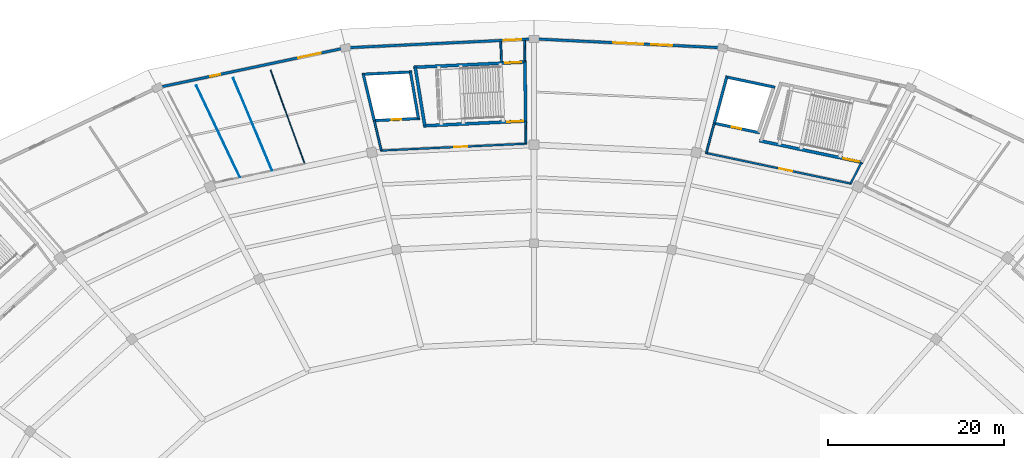
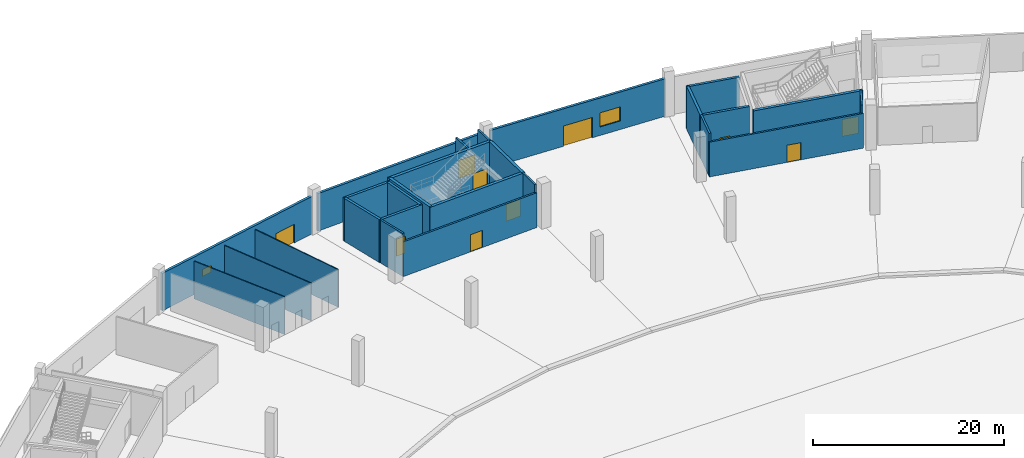
# One storey, part 17 of 48: 26 walls, 10 doors, 2 windows, 12 openings.
"""IFC4 building model written with IfcOpenShell, lengths in metres."""

import ifcopenshell
import ifcopenshell.guid

model = None  # the IFC model being written
_history = None  # IfcOwnerHistory: only IFC2X3 demands one
_inside = {}  # id of a spatial element -> (the spatial element, [elements in it])
_under = {}  # id of a project, library or spatial element -> (it, [spatial elements below it])
_declared = {}  # id of a project -> (the project, [libraries it declares])
_typed = {}  # id of a type object -> (the type object, [elements of that type])
_made_of = {}  # id of a material, layer set ... -> (it, [elements and type objects made of it])


def new_model(schema):
    """Start an empty IFC model of exactly this schema.

    Asked for "IFC4X3", IfcOpenShell would pick the latest addendum, in which some entities
    have other attributes; the version numbers below select the first issue.
    IFC2X3 requires an IfcOwnerHistory on every rooted entity: one is made here for all.
    """
    global model, _history
    if schema == "IFC4X3":
        model = ifcopenshell.file(schema_version=(4, 3, 0, 0))
    else:
        model = ifcopenshell.file(schema=schema)
    _inside.clear()
    _under.clear()
    _declared.clear()
    _typed.clear()
    _made_of.clear()
    _history = None
    if model.schema == "IFC2X3":
        org = make("IfcOrganization", Name="unknown")
        user = make(
            "IfcPersonAndOrganization",
            ThePerson=make("IfcPerson", FamilyName="unknown"),
            TheOrganization=org,
        )
        app = make(
            "IfcApplication",
            ApplicationDeveloper=org,
            Version="unknown",
            ApplicationFullName="unknown",
            ApplicationIdentifier="unknown",
        )
        _history = make(
            "IfcOwnerHistory",
            OwningUser=user,
            OwningApplication=app,
            ChangeAction="ADDED",
            CreationDate=0,
        )
    return model


def make(cls, **values):
    """One entity of the class cls with the attributes given. An attribute that is None is left unset."""
    return model.create_entity(
        cls, **{name: value for name, value in values.items() if value is not None}
    )


def rooted(cls, **values):
    """An entity with a GlobalId (a new one), such as an element, a storey or a relation."""
    return make(cls, GlobalId=ifcopenshell.guid.new(), OwnerHistory=_history, **values)


def si_unit(unit_type, name, prefix=None):
    """IfcSIUnit, for example si_unit("LENGTHUNIT", "METRE", prefix="MILLI")."""
    return make("IfcSIUnit", UnitType=unit_type, Prefix=prefix, Name=name)


def assignment(units):
    """IfcUnitAssignment: the units of a project."""
    return None if units is None else make("IfcUnitAssignment", Units=units)


def point(xyz):
    """IfcCartesianPoint."""
    return None if xyz is None else make("IfcCartesianPoint", Coordinates=xyz)


def direction(xyz):
    """IfcDirection."""
    return None if xyz is None else make("IfcDirection", DirectionRatios=xyz)


def frame(location, z_axis=None, x_axis=None):
    """IfcAxis2Placement3D, a coordinate frame: its origin and axes. An axis left out is left unset."""
    return make(
        "IfcAxis2Placement3D",
        Location=point(location),
        Axis=direction(z_axis),
        RefDirection=direction(x_axis),
    )


def frame_2d(location, x_axis=None):
    """IfcAxis2Placement2D, a coordinate frame in the plane: its origin and x axis."""
    return make(
        "IfcAxis2Placement2D", Location=point(location), RefDirection=direction(x_axis)
    )


def origin():
    """The frame at (0, 0, 0) with its axes left unset."""
    return frame((0.0, 0.0, 0.0))


def place(relative_to, where):
    """IfcLocalPlacement: puts the frame where relative to a parent placement (None: the world)."""
    return make(
        "IfcLocalPlacement", PlacementRelTo=relative_to, RelativePlacement=where
    )


def context(
    kind, dimensions, precision=None, world=None, true_north=None, identifier=None
):
    """IfcGeometricRepresentationContext, for example the 3D "Model" context."""
    return make(
        "IfcGeometricRepresentationContext",
        ContextIdentifier=identifier,
        ContextType=kind,
        CoordinateSpaceDimension=dimensions,
        Precision=precision,
        WorldCoordinateSystem=world,
        TrueNorth=true_north,
    )


def subcontext(parent, identifier, kind, view, scale=None):
    """IfcGeometricRepresentationSubContext, for example "Body" below "Model"."""
    return make(
        "IfcGeometricRepresentationSubContext",
        ContextIdentifier=identifier,
        ContextType=kind,
        ParentContext=parent,
        TargetScale=scale,
        TargetView=view,
    )


def project(units=None, contexts=None):
    """IfcProject with its units and contexts."""
    return rooted(
        "IfcProject",
        Name="project",
        RepresentationContexts=contexts,
        UnitsInContext=assignment(units),
    )


def spatial(cls, under=None, at=None, **own):
    """A site, building, storey or space (cls), placed at a placement, below another one or the project."""
    s = rooted(cls, ObjectPlacement=at, **own)
    if under is not None:
        _under.setdefault(under.id(), (under, []))[1].append(s)
    return s


def profile(cls, at=None, kind="AREA", **sizes):
    """A parametric profile (cls). Its sizes go by their IFC names, for example OverallWidth=200.0."""
    return make(cls, ProfileType=kind, Position=at, **sizes)


def rectangle(**sizes):
    """IfcRectangleProfileDef."""
    return profile("IfcRectangleProfileDef", **sizes)


def extrude(swept, where, along, depth):
    """IfcExtrudedAreaSolid: the profile swept, set in the frame where, extruded along a direction by depth."""
    return make(
        "IfcExtrudedAreaSolid",
        SweptArea=swept,
        Position=where,
        ExtrudedDirection=direction(along),
        Depth=depth,
    )


def shape(context_of_items, identifier, shape_type, items):
    """IfcShapeRepresentation: the items that make up one representation, for example the "Body"."""
    return make(
        "IfcShapeRepresentation",
        ContextOfItems=context_of_items,
        RepresentationIdentifier=identifier,
        RepresentationType=shape_type,
        Items=items,
    )


def material(Name=None, Category=None):
    """IfcMaterial."""
    return make("IfcMaterial", Name=Name, Category=Category)


def layer(
    of_material, thickness, ventilated=None, Name=None, Category=None, Priority=None
):
    """IfcMaterialLayer: one layer of a wall or slab, of a material (None: an air gap)."""
    return make(
        "IfcMaterialLayer",
        Material=of_material,
        LayerThickness=thickness,
        IsVentilated=ventilated,
        Name=Name,
        Category=Category,
        Priority=Priority,
    )


def layer_set(layers, Name=None):
    """IfcMaterialLayerSet."""
    return make("IfcMaterialLayerSet", MaterialLayers=layers, LayerSetName=Name)


def made_of(thing, what):
    """Note that an element or type object is made of a material, layer set ...; save() writes the relation."""
    if what is not None:
        _made_of.setdefault(what.id(), (what, []))[1].append(thing)
    return thing


def type_object(cls, material=None, **own):
    """A type object (cls), such as IfcWallType, which elements share."""
    return made_of(rooted(cls, **own), material)


def element(
    cls,
    number,
    at=None,
    inside=None,
    cuts=None,
    type_object=None,
    material=None,
    context=None,
    identifier="Body",
    shape_type=None,
    held_by="IfcProductDefinitionShape",
    body=None,
    shapes=None,
    **own,
):
    """One element of the class cls, such as IfcWall. Its Tag is "e" and its number.

    at: its placement. inside: the storey or other place that contains it. cuts: it is an
    opening in that element (IfcRelVoidsElement). A single representation is given by context,
    identifier, shape_type and body (its items); several are given by shapes. held_by: the class
    of the entity that holds the representations. save() writes the other relations.
    """
    e = rooted(cls, Tag="e%d" % number, ObjectPlacement=at, **own)
    if body is not None:
        shapes = [shape(context, identifier, shape_type, body)]
    if shapes is not None:
        e.Representation = make(held_by, Representations=shapes)
    if inside is not None:
        _inside.setdefault(inside.id(), (inside, []))[1].append(e)
    if cuts is not None:
        rooted(
            "IfcRelVoidsElement", RelatingBuildingElement=cuts, RelatedOpeningElement=e
        )
    if type_object is not None:
        _typed.setdefault(type_object.id(), (type_object, []))[1].append(e)
    return made_of(e, material)


def fill(opening, filler):
    """IfcRelFillsElement: the door or window that sits in an opening."""
    return rooted(
        "IfcRelFillsElement",
        RelatingOpeningElement=opening,
        RelatedBuildingElement=filler,
    )


def aggregate(whole, parts):
    """IfcRelAggregates: a whole, such as a stair, and the parts it consists of."""
    return rooted("IfcRelAggregates", RelatingObject=whole, RelatedObjects=parts)


def save(model, path):
    """Write the relations noted so far, then the file.

    IfcRelAggregates (storeys below a building ...), IfcRelContainedInSpatialStructure (elements
    in a storey), IfcRelDefinesByType, IfcRelAssociatesMaterial and IfcRelDeclares: one each for
    every whole, place, type object, material and project.
    """
    for whole, parts in _under.values():
        aggregate(whole, parts)
    for where, things in _inside.values():
        rooted(
            "IfcRelContainedInSpatialStructure",
            RelatedElements=things,
            RelatingStructure=where,
        )
    for kind, things in _typed.values():
        rooted("IfcRelDefinesByType", RelatedObjects=things, RelatingType=kind)
    for what, things in _made_of.values():
        rooted("IfcRelAssociatesMaterial", RelatedObjects=things, RelatingMaterial=what)
    for by, libraries in _declared.values():
        rooted("IfcRelDeclares", RelatingContext=by, RelatedDefinitions=libraries)
    model.write(path)


model = new_model("IFC4")

# Units and contexts
model_context = context("Model", 3, precision=1e-05, world=origin(), true_north=direction((0.0, 1.0)))
body_context = subcontext(model_context, "Body", "Model", "MODEL_VIEW")
ifc_project = project(units=[si_unit("LENGTHUNIT", "METRE"), si_unit("AREAUNIT", "SQUARE_METRE"), si_unit("VOLUMEUNIT", "CUBIC_METRE"), si_unit("PLANEANGLEUNIT", "RADIAN"), si_unit("MASSUNIT", "GRAM", prefix="KILO")], contexts=[model_context])

# Site, building, storey
site_placement = place(None, origin())
site = spatial("IfcSite", under=ifc_project, at=site_placement, CompositionType="ELEMENT")
building_placement = place(site_placement, origin())
building = spatial("IfcBuilding", under=site, at=building_placement, Name="Kazemori Nagisa Stadium", CompositionType="ELEMENT")
storey_placement = place(building_placement, origin())
storey = spatial("IfcBuildingStorey", under=building, at=storey_placement, Name="L00", CompositionType="ELEMENT", Elevation=0.0)

# Wall, opening, door
ifc_material_1 = material(Name="Concrete C40/50 (Fc42)", Category="concrete")
ifc_layer_1 = layer(ifc_material_1, 0.35009765625, Name="Concrete C40/50 (Fc42)", Category="concrete")
ifc_layer_set_1 = layer_set([ifc_layer_1], Name="Concrete C40/50 (Fc42)")
wall_type_1 = type_object("IfcWallType", Name="Wall_W-CORE-350", PredefinedType="SHEAR", material=ifc_layer_set_1)
wall_1_placement = place(storey_placement, frame((160.399658203125, 173.939697265625, 0.0), z_axis=(0.0, 0.0, 1.0), x_axis=(-0.978345203961, 0.206979858648, 0.0)))
wall_1 = element("IfcWall", 1, at=wall_1_placement, inside=storey, type_object=wall_type_1, Name="Core stair front shear wall ST11 L00", PredefinedType="SHEAR", context=body_context, shape_type="SweptSolid", body=[
    extrude(rectangle(XDim=12.044189453125, YDim=0.35009765625, at=frame_2d((6.02197265625, 0.0))), origin(), (0.0, 0.0, 1.0), 5.5),
])
opening_1_placement = place(wall_1_placement, frame((0.47509765625, 0.0, 0.0)))
opening_1 = element("IfcOpeningElement", 2, at=opening_1_placement, cuts=wall_1, Name="Opening D-ST-1800", PredefinedType="OPENING", context=body_context, shape_type="SweptSolid", body=[
    extrude(rectangle(XDim=1.800048828125, YDim=2.199951171875, at=frame_2d((0.89990234375, 1.10009765625))), frame((0.0, 0.18505859375, 0.0), z_axis=(0.0, -1.0, 0.0), x_axis=(1.0, 0.0, 0.0)), (0.0, 0.0, 1.0), 0.3701171875),
])
ifc_material_2 = material(Name="Galvanised steel sheet", Category="steel")
door_type_1 = type_object("IfcDoorType", Name="Door_D-ST-1800", OperationType="NOTDEFINED", PredefinedType="DOOR", material=ifc_material_2)
door_1_placement = place(opening_1_placement, origin())
door_1 = element("IfcDoor", 3, at=door_1_placement, inside=storey, type_object=door_type_1, Name="Exit stair fire door ST11-L00", OperationType="SINGLE_SWING_RIGHT", OverallHeight=2.199951171875, OverallWidth=1.800048828125, PredefinedType="DOOR", context=body_context, shape_type="SweptSolid", body=[
    extrude(rectangle(XDim=1.800048828125, YDim=2.199951171875, at=frame_2d((0.89990234375, 1.10009765625))), frame((0.0, 0.02490234375, 0.0), z_axis=(0.0, -1.0, 0.0), x_axis=(1.0, 0.0, 0.0)), (0.0, 0.0, 1.0), 0.050048828125),
])
fill(opening_1, door_1)

wall_2_placement = place(storey_placement, frame((122.218994140625, 178.675048828125, 0.0), z_axis=(0.0, 0.0, 1.0), x_axis=(-0.998883770468, -0.04723571843, 0.0)))
wall_2 = element("IfcWall", 4, at=wall_2_placement, inside=storey, type_object=wall_type_1, Name="Core stair front shear wall ST05 L00", PredefinedType="SHEAR", context=body_context, shape_type="SweptSolid", body=[
    extrude(rectangle(XDim=11.830810546875, YDim=0.35009765625, at=frame_2d((5.91552734375, 0.0))), origin(), (0.0, 0.0, 1.0), 5.5),
])
opening_2_placement = place(wall_2_placement, frame((0.47509765625, 0.0, 0.0)))
opening_2 = element("IfcOpeningElement", 5, at=opening_2_placement, cuts=wall_2, Name="Opening D-ST-1800", PredefinedType="OPENING", context=body_context, shape_type="SweptSolid", body=[
    extrude(rectangle(XDim=1.800048828125, YDim=2.199951171875, at=frame_2d((0.89990234375, 1.10009765625))), frame((0.0, 0.18505859375, 0.0), z_axis=(0.0, -1.0, 0.0), x_axis=(1.0, 0.0, 0.0)), (0.0, 0.0, 1.0), 0.3701171875),
])
door_2_placement = place(opening_2_placement, origin())
door_2 = element("IfcDoor", 6, at=door_2_placement, inside=storey, type_object=door_type_1, Name="Exit stair fire door ST05-L00", OperationType="SINGLE_SWING_LEFT", OverallHeight=2.199951171875, OverallWidth=1.800048828125, PredefinedType="DOOR", context=body_context, shape_type="SweptSolid", body=[
    extrude(rectangle(XDim=1.800048828125, YDim=2.199951171875, at=frame_2d((0.89990234375, 1.10009765625))), frame((0.0, 0.02490234375, 0.0), z_axis=(0.0, -1.0, 0.0), x_axis=(1.0, 0.0, 0.0)), (0.0, 0.0, 1.0), 0.050048828125),
])
fill(opening_2, door_2)

wall_3_placement = place(storey_placement, frame((122.135498046875, 185.379150390625, 0.0), z_axis=(0.0, 0.0, 1.0), x_axis=(-0.998884004857, -0.047230761603, 0.0)))
wall_3 = element("IfcWall", 7, at=wall_3_placement, inside=storey, type_object=wall_type_1, Name="Core stair rear shear wall ST05 L00", PredefinedType="SHEAR", context=body_context, shape_type="SweptSolid", body=[
    extrude(rectangle(XDim=12.8349609375, YDim=0.35009765625, at=frame_2d((6.41748046875, 0.0))), origin(), (0.0, 0.0, 1.0), 5.5),
])
opening_3_placement = place(wall_3_placement, frame((0.60107421875, 0.0, 0.0)))
opening_3 = element("IfcOpeningElement", 8, at=opening_3_placement, cuts=wall_3, Name="Opening D-ST-1800", PredefinedType="OPENING", context=body_context, shape_type="SweptSolid", body=[
    extrude(rectangle(XDim=1.800048828125, YDim=2.199951171875, at=frame_2d((0.89990234375, 1.10009765625))), frame((0.0, 0.18505859375, 0.0), z_axis=(0.0, -1.0, 0.0), x_axis=(1.0, 0.0, 0.0)), (0.0, 0.0, 1.0), 0.3701171875),
])
door_3_placement = place(opening_3_placement, frame((1.800048828125, 0.0, 0.0), z_axis=(0.0, 0.0, 1.0), x_axis=(-1.0, 0.0, 0.0)))
door_3 = element("IfcDoor", 9, at=door_3_placement, inside=storey, type_object=door_type_1, Name="Exit stair discharge door ST05-L00", OperationType="DOUBLE_DOOR_SINGLE_SWING", OverallHeight=2.199951171875, OverallWidth=1.800048828125, PredefinedType="DOOR", context=body_context, shape_type="SweptSolid", body=[
    extrude(rectangle(XDim=1.800048828125, YDim=2.199951171875, at=frame_2d((0.89990234375, 1.10009765625))), frame((0.0, 0.02490234375, 0.0), z_axis=(0.0, -1.0, 0.0), x_axis=(1.0, 0.0, 0.0)), (0.0, 0.0, 1.0), 0.050048828125),
])
fill(opening_3, door_3)

# Walls
wall_4_placement = place(storey_placement, frame((122.04443359375, 178.666748046875, 0.0), z_axis=(0.0, 0.0, 1.0), x_axis=(-0.012489921532, 0.999921997888, 0.0)))
element("IfcWall", 10, at=wall_4_placement, inside=storey, type_object=wall_type_1, Name="Core stair left shear wall ST05 L00", PredefinedType="SHEAR", context=body_context, shape_type="SweptSolid", body=[
    extrude(rectangle(XDim=6.70458984375, YDim=0.35009765625, at=frame_2d((3.352294921875, 0.0))), origin(), (0.0, 0.0, 1.0), 5.5),
])
wall_5_placement = place(storey_placement, frame((110.576171875, 178.12451171875, 0.0), z_axis=(0.0, 0.0, 1.0), x_axis=(-0.161075775241, 0.986942042184, 0.0)))
element("IfcWall", 11, at=wall_5_placement, inside=storey, type_object=wall_type_1, Name="Core stair right shear wall ST05 L00", PredefinedType="SHEAR", context=body_context, shape_type="SweptSolid", body=[
    extrude(rectangle(XDim=6.744873046875, YDim=0.35009765625, at=frame_2d((3.37255859375, 0.0))), origin(), (0.0, 0.0, 1.0), 5.5),
])

# Wall, openings, door, window
ifc_material_3 = material(Name="Concrete C40/50 (Fc42) precast", Category="concrete")
ifc_layer_2 = layer(ifc_material_3, 0.300048828125, Name="Concrete C40/50 (Fc42) precast", Category="concrete")
ifc_layer_set_2 = layer_set([ifc_layer_2], Name="Concrete C40/50 (Fc42) precast")
wall_type_2 = type_object("IfcWallType", Name="Wall_W-EXT-300", PredefinedType="SOLIDWALL", material=ifc_layer_set_2)
wall_6_placement = place(storey_placement, frame((144.0380859375, 187.00537109375, 0.0), z_axis=(0.0, 0.0, 1.0), x_axis=(-0.998884033728, 0.047230150999, 0.0)))
wall_6 = element("IfcWall", 12, at=wall_6_placement, inside=storey, type_object=wall_type_2, Name="Ground exterior entrance wall L00-07", PredefinedType="SOLIDWALL", context=body_context, shape_type="SweptSolid", body=[
    extrude(rectangle(XDim=20.67138671875, YDim=0.300048828125, at=frame_2d((10.335693359375, 0.0))), origin(), (0.0, 0.0, 1.0), 4.800048828125),
])
opening_4_placement = place(wall_6_placement, frame((8.635986328125, 0.0, 0.0)))
opening_4 = element("IfcOpeningElement", 13, at=opening_4_placement, cuts=wall_6, Name="Opening D-ENT-3400", PredefinedType="OPENING", context=body_context, shape_type="SweptSolid", body=[
    extrude(rectangle(XDim=3.39990234375, YDim=2.60009765625, at=frame_2d((1.699951171875, 1.300048828125))), frame((0.0, 0.159912109375, 0.0), z_axis=(0.0, -1.0, 0.0), x_axis=(1.0, 0.0, 0.0)), (0.0, 0.0, 1.0), 0.320068359375),
])
opening_5_placement = place(wall_6_placement, frame((5.3359375, 0.0, 1.10009765625)))
opening_5 = element("IfcOpeningElement", 14, at=opening_5_placement, cuts=wall_6, Name="Opening WIN-L00-2400", PredefinedType="OPENING", context=body_context, shape_type="SweptSolid", body=[
    extrude(rectangle(XDim=2.39990234375, YDim=1.800048828125, at=frame_2d((1.199951171875, 0.89990234375))), frame((0.0, 0.159912109375, 0.0), z_axis=(0.0, -1.0, 0.0), x_axis=(1.0, 0.0, 0.0)), (0.0, 0.0, 1.0), 0.320068359375),
])
ifc_material_4 = material(Name="Anodised aluminium 6063-T5", Category="aluminium")
door_type_2 = type_object("IfcDoorType", Name="Door_D-ENT-3400", OperationType="NOTDEFINED", PredefinedType="DOOR", material=ifc_material_4)
door_4_placement = place(opening_4_placement, frame((3.39990234375, 0.0, 0.0), z_axis=(0.0, 0.0, 1.0), x_axis=(-1.0, 0.0, 0.0)))
door_4 = element("IfcDoor", 15, at=door_4_placement, inside=storey, type_object=door_type_2, Name="Main entrance E5", OperationType="DOUBLE_DOOR_SINGLE_SWING", OverallHeight=2.60009765625, OverallWidth=3.39990234375, PredefinedType="DOOR", context=body_context, shape_type="SweptSolid", body=[
    extrude(rectangle(XDim=3.39990234375, YDim=2.60009765625, at=frame_2d((1.699951171875, 1.300048828125))), frame((0.0, 0.02490234375, 0.0), z_axis=(0.0, -1.0, 0.0), x_axis=(1.0, 0.0, 0.0)), (0.0, 0.0, 1.0), 0.050048828125),
])
fill(opening_4, door_4)
ifc_material_5 = material(Name="Low-e laminated double glazing", Category="glass")
window_type_1 = type_object("IfcWindowType", Name="Window_WIN-L00-2400", PartitioningType="SINGLE_PANEL", PredefinedType="WINDOW", material=ifc_material_5)
window_1_placement = place(opening_5_placement, origin())
window_1 = element("IfcWindow", 16, at=window_1_placement, inside=storey, type_object=window_type_1, Name="Entrance foyer window L00-07", OverallHeight=1.800048828125, OverallWidth=2.39990234375, PartitioningType="SINGLE_PANEL", PredefinedType="WINDOW", context=body_context, shape_type="SweptSolid", body=[
    extrude(rectangle(XDim=2.39990234375, YDim=1.800048828125, at=frame_2d((1.199951171875, 0.89990234375))), frame((0.0, 0.030029296875, 0.0), z_axis=(0.0, -1.0, 0.0), x_axis=(1.0, 0.0, 0.0)), (0.0, 0.0, 1.0), 0.06005859375),
])
fill(opening_5, window_1)

# Wall, opening, door
wall_7_placement = place(storey_placement, frame((122.6103515625, 187.981689453125, 0.0), z_axis=(0.0, 0.0, 1.0), x_axis=(-0.998884033728, -0.047230150999, 0.0)))
wall_7 = element("IfcWall", 17, at=wall_7_placement, inside=storey, type_object=wall_type_2, Name="Core exterior wall L00-08", PredefinedType="SOLIDWALL", context=body_context, shape_type="SweptSolid", body=[
    extrude(rectangle(XDim=20.67138671875, YDim=0.300048828125, at=frame_2d((10.335693359375, 0.0))), origin(), (0.0, 0.0, 1.0), 4.800048828125),
])
opening_6_placement = place(wall_7_placement, frame((1.050048828125, 0.0, 0.0)))
opening_6 = element("IfcOpeningElement", 18, at=opening_6_placement, cuts=wall_7, Name="Opening D-SD-2000", PredefinedType="OPENING", context=body_context, shape_type="SweptSolid", body=[
    extrude(rectangle(XDim=2.0, YDim=2.300048828125, at=frame_2d((1.0, 1.14990234375))), frame((0.0, 0.159912109375, 0.0), z_axis=(0.0, -1.0, 0.0), x_axis=(1.0, 0.0, 0.0)), (0.0, 0.0, 1.0), 0.320068359375),
])
door_type_3 = type_object("IfcDoorType", Name="Door_D-SD-2000", OperationType="NOTDEFINED", PredefinedType="DOOR", material=ifc_material_2)
door_5_placement = place(opening_6_placement, frame((2.0, 0.0, 0.0), z_axis=(0.0, 0.0, 1.0), x_axis=(-1.0, 0.0, 0.0)))
door_5 = element("IfcDoor", 19, at=door_5_placement, inside=storey, type_object=door_type_3, Name="Pedestrian stair exit SD5", OperationType="DOUBLE_DOOR_SINGLE_SWING", OverallHeight=2.300048828125, OverallWidth=2.0, PredefinedType="DOOR", context=body_context, shape_type="SweptSolid", body=[
    extrude(rectangle(XDim=2.0, YDim=2.300048828125, at=frame_2d((1.0, 1.14990234375))), frame((0.0, 0.02490234375, 0.0), z_axis=(0.0, -1.0, 0.0), x_axis=(1.0, 0.0, 0.0)), (0.0, 0.0, 1.0), 0.050048828125),
])
fill(opening_6, door_5)

# Wall, openings, door, window
wall_8_placement = place(storey_placement, frame((101.190673828125, 186.906005859375, 0.0), z_axis=(0.0, 0.0, 1.0), x_axis=(-0.978345100851, -0.206980346028, 0.0)))
wall_8 = element("IfcWall", 20, at=wall_8_placement, inside=storey, type_object=wall_type_2, Name="Ground exterior entrance wall L00-09", PredefinedType="SOLIDWALL", context=body_context, shape_type="SweptSolid", body=[
    extrude(rectangle(XDim=21.070068359375, YDim=0.300048828125, at=frame_2d((10.53515625, 0.0))), origin(), (0.0, 0.0, 1.0), 4.800048828125),
])
opening_7_placement = place(wall_8_placement, frame((2.492919921875, 0.0, 0.0)))
opening_7 = element("IfcOpeningElement", 21, at=opening_7_placement, cuts=wall_8, Name="Opening D-GATE-2600", PredefinedType="OPENING", context=body_context, shape_type="SweptSolid", body=[
    extrude(rectangle(XDim=2.60009765625, YDim=2.39990234375, at=frame_2d((1.300048828125, 1.199951171875))), frame((0.0, 0.159912109375, 0.0), z_axis=(0.0, -1.0, 0.0), x_axis=(1.0, 0.0, 0.0)), (0.0, 0.0, 1.0), 0.320068359375),
])
opening_8_placement = place(wall_8_placement, frame((14.14892578125, 0.0, 1.64990234375)))
opening_8 = element("IfcOpeningElement", 22, at=opening_8_placement, cuts=wall_8, Name="Opening WIN-WC-1200", PredefinedType="OPENING", context=body_context, shape_type="SweptSolid", body=[
    extrude(rectangle(XDim=1.199951171875, YDim=0.89990234375, at=frame_2d((0.60009765625, 0.449951171875))), frame((0.0, 0.159912109375, 0.0), z_axis=(0.0, -1.0, 0.0), x_axis=(1.0, 0.0, 0.0)), (0.0, 0.0, 1.0), 0.320068359375),
])
door_type_4 = type_object("IfcDoorType", Name="Door_D-GATE-2600", OperationType="NOTDEFINED", PredefinedType="DOOR", material=ifc_material_4)
door_6_placement = place(opening_7_placement, frame((2.60009765625, 0.0, 0.0), z_axis=(0.0, 0.0, 1.0), x_axis=(-1.0, 0.0, 0.0)))
door_6 = element("IfcDoor", 23, at=door_6_placement, inside=storey, type_object=door_type_4, Name="Pedestrian exit gate G3", OperationType="DOUBLE_DOOR_SINGLE_SWING", OverallHeight=2.39990234375, OverallWidth=2.60009765625, PredefinedType="DOOR", context=body_context, shape_type="SweptSolid", body=[
    extrude(rectangle(XDim=2.60009765625, YDim=2.39990234375, at=frame_2d((1.300048828125, 1.199951171875))), frame((0.0, 0.02490234375, 0.0), z_axis=(0.0, -1.0, 0.0), x_axis=(1.0, 0.0, 0.0)), (0.0, 0.0, 1.0), 0.050048828125),
])
fill(opening_7, door_6)
window_type_2 = type_object("IfcWindowType", Name="Window_WIN-WC-1200", PartitioningType="SINGLE_PANEL", PredefinedType="WINDOW", material=ifc_material_5)
window_2_placement = place(opening_8_placement, origin())
window_2 = element("IfcWindow", 24, at=window_2_placement, inside=storey, type_object=window_type_2, Name="Sanitary clerestory window L00-09", OverallHeight=0.89990234375, OverallWidth=1.199951171875, PartitioningType="SINGLE_PANEL", PredefinedType="WINDOW", context=body_context, shape_type="SweptSolid", body=[
    extrude(rectangle(XDim=1.199951171875, YDim=0.89990234375, at=frame_2d((0.60009765625, 0.449951171875))), frame((0.0, 0.030029296875, 0.0), z_axis=(0.0, -1.0, 0.0), x_axis=(1.0, 0.0, 0.0)), (0.0, 0.0, 1.0), 0.06005859375),
])
fill(opening_8, window_2)

# Wall, opening, door
ifc_material_6 = material(Name="Concrete C36/45 (Fc36)", Category="concrete")
ifc_layer_3 = layer(ifc_material_6, 0.219970703125, Name="Concrete C36/45 (Fc36)", Category="concrete")
ifc_layer_set_3 = layer_set([ifc_layer_3], Name="Concrete C36/45 (Fc36)")
wall_type_3 = type_object("IfcWallType", Name="Wall_W-LOBBY-220", PredefinedType="SOLIDWALL", material=ifc_layer_set_3)
wall_9_placement = place(storey_placement, frame((159.083984375, 171.5322265625, 0.0), z_axis=(0.0, 0.0, 1.0), x_axis=(-0.978342313718, 0.206993519678, 0.0)))
wall_9 = element("IfcWall", 25, at=wall_9_placement, inside=storey, type_object=wall_type_3, Name="Core lobby fire wall ST11 L00", PredefinedType="SOLIDWALL", context=body_context, shape_type="SweptSolid", body=[
    extrude(rectangle(XDim=16.983154296875, YDim=0.219970703125, at=frame_2d((8.49169921875, 0.0))), origin(), (0.0, 0.0, 1.0), 4.447998046875),
])
opening_9_placement = place(wall_9_placement, frame((6.903076171875, 0.0, 0.0)))
opening_9 = element("IfcOpeningElement", 26, at=opening_9_placement, cuts=wall_9, Name="Opening D-FFL-1500", PredefinedType="OPENING", context=body_context, shape_type="SweptSolid", body=[
    extrude(rectangle(XDim=1.5, YDim=2.199951171875, at=frame_2d((0.75, 1.10009765625))), frame((0.0, 0.119873046875, 0.0), z_axis=(0.0, -1.0, 0.0), x_axis=(1.0, 0.0, 0.0)), (0.0, 0.0, 1.0), 0.239990234375),
])
door_type_5 = type_object("IfcDoorType", Name="Door_D-FFL-1500", OperationType="NOTDEFINED", PredefinedType="DOOR", material=ifc_material_2)
door_7_placement = place(opening_9_placement, origin())
door_7 = element("IfcDoor", 27, at=door_7_placement, inside=storey, type_object=door_type_5, Name="Protected lobby fire door ST11-L00", OperationType="DOUBLE_DOOR_SINGLE_SWING", OverallHeight=2.199951171875, OverallWidth=1.5, PredefinedType="DOOR", context=body_context, shape_type="SweptSolid", body=[
    extrude(rectangle(XDim=1.5, YDim=2.199951171875, at=frame_2d((0.75, 1.10009765625))), frame((0.0, 0.02490234375, 0.0), z_axis=(0.0, -1.0, 0.0), x_axis=(1.0, 0.0, 0.0)), (0.0, 0.0, 1.0), 0.050048828125),
])
fill(opening_9, door_7)

# Walls
wall_10_placement = place(storey_placement, frame((158.976318359375, 171.55517578125, 0.0), z_axis=(0.0, 0.0, 1.0), x_axis=(0.459461910618, 0.888197473928, 0.0)))
element("IfcWall", 28, at=wall_10_placement, inside=storey, type_object=wall_type_3, Name="Core lobby left wall ST11 L00", PredefinedType="SOLIDWALL", context=body_context, shape_type="SweptSolid", body=[
    extrude(rectangle(XDim=2.725341796875, YDim=0.219970703125, at=frame_2d((1.36279296875, 0.0))), origin(), (0.0, 0.0, 1.0), 5.5),
])
wall_11_placement = place(storey_placement, frame((142.576171875, 175.024658203125, 0.0), z_axis=(0.0, 0.0, 1.0), x_axis=(0.258940146037, 0.965893369255, 0.0)))
element("IfcWall", 29, at=wall_11_placement, inside=storey, type_object=wall_type_3, Name="Core lobby right wall ST11 L00", PredefinedType="SOLIDWALL", context=body_context, shape_type="SweptSolid", body=[
    extrude(rectangle(XDim=3.50830078125, YDim=0.219970703125, at=frame_2d((1.754150390625, 0.0))), origin(), (0.0, 0.0, 1.0), 5.5),
])
wall_12_placement = place(storey_placement, frame((121.958740234375, 185.52587890625, 0.0), z_axis=(0.0, 0.0, 1.0), x_axis=(-0.012453792471, 0.999922448519, 0.0)))
element("IfcWall", 30, at=wall_12_placement, inside=storey, type_object=wall_type_3, Name="Exit passage left fire wall ST05 L00", PredefinedType="SOLIDWALL", context=body_context, shape_type="SweptSolid", body=[
    extrude(rectangle(XDim=2.293701171875, YDim=0.219970703125, at=frame_2d((1.14697265625, 0.0))), origin(), (0.0, 0.0, 1.0), 5.5),
])
wall_13_placement = place(storey_placement, frame((119.30419921875, 185.400390625, 0.0), z_axis=(0.0, 0.0, 1.0), x_axis=(-0.04431084354, 0.999017792206, 0.0)))
element("IfcWall", 31, at=wall_13_placement, inside=storey, type_object=wall_type_3, Name="Exit passage right fire wall ST05 L00", PredefinedType="SOLIDWALL", context=body_context, shape_type="SweptSolid", body=[
    extrude(rectangle(XDim=2.2919921875, YDim=0.219970703125, at=frame_2d((1.14599609375, 0.0))), origin(), (0.0, 0.0, 1.0), 5.5),
])

# Wall, opening, door
wall_14_placement = place(storey_placement, frame((122.186279296875, 176.093505859375, 0.0), z_axis=(0.0, 0.0, 1.0), x_axis=(-0.998884242682, -0.047225731555, 0.0)))
wall_14 = element("IfcWall", 32, at=wall_14_placement, inside=storey, type_object=wall_type_3, Name="Core lobby fire wall ST05 L00", PredefinedType="SOLIDWALL", context=body_context, shape_type="SweptSolid", body=[
    extrude(rectangle(XDim=16.67724609375, YDim=0.219970703125, at=frame_2d((8.338623046875, 0.0))), origin(), (0.0, 0.0, 1.0), 4.447998046875),
])
opening_10_placement = place(wall_14_placement, frame((6.76611328125, 0.0, 0.0)))
opening_10 = element("IfcOpeningElement", 33, at=opening_10_placement, cuts=wall_14, Name="Opening D-FFL-1500", PredefinedType="OPENING", context=body_context, shape_type="SweptSolid", body=[
    extrude(rectangle(XDim=1.5, YDim=2.199951171875, at=frame_2d((0.75, 1.10009765625))), frame((0.0, 0.119873046875, 0.0), z_axis=(0.0, -1.0, 0.0), x_axis=(1.0, 0.0, 0.0)), (0.0, 0.0, 1.0), 0.239990234375),
])
door_8_placement = place(opening_10_placement, origin())
door_8 = element("IfcDoor", 34, at=door_8_placement, inside=storey, type_object=door_type_5, Name="Protected lobby fire door ST05-L00", OperationType="DOUBLE_DOOR_SINGLE_SWING", OverallHeight=2.199951171875, OverallWidth=1.5, PredefinedType="DOOR", context=body_context, shape_type="SweptSolid", body=[
    extrude(rectangle(XDim=1.5, YDim=2.199951171875, at=frame_2d((0.75, 1.10009765625))), frame((0.0, 0.02490234375, 0.0), z_axis=(0.0, -1.0, 0.0), x_axis=(1.0, 0.0, 0.0)), (0.0, 0.0, 1.0), 0.050048828125),
])
fill(opening_10, door_8)

# Walls
wall_15_placement = place(storey_placement, frame((122.076416015625, 176.08837890625, 0.0), z_axis=(0.0, 0.0, 1.0), x_axis=(-0.012403174243, 0.999923077676, 0.0)))
element("IfcWall", 35, at=wall_15_placement, inside=storey, type_object=wall_type_3, Name="Core lobby left wall ST05 L00", PredefinedType="SOLIDWALL", context=body_context, shape_type="SweptSolid", body=[
    extrude(rectangle(XDim=2.57861328125, YDim=0.219970703125, at=frame_2d((1.289306640625, 0.0))), origin(), (0.0, 0.0, 1.0), 5.5),
])
wall_16_placement = place(storey_placement, frame((105.6376953125, 175.31103515625, 0.0), z_axis=(0.0, 0.0, 1.0), x_axis=(-0.230522067539, 0.973067097572, 0.0)))
element("IfcWall", 36, at=wall_16_placement, inside=storey, type_object=wall_type_3, Name="Core lobby right wall ST05 L00", PredefinedType="SOLIDWALL", context=body_context, shape_type="SweptSolid", body=[
    extrude(rectangle(XDim=3.49609375, YDim=0.219970703125, at=frame_2d((1.748046875, 0.0))), origin(), (0.0, 0.0, 1.0), 5.5),
])
ifc_material_7 = material(Name="High-pressure phenolic compact laminate", Category="gypsum")
ifc_layer_4 = layer(ifc_material_7, 0.10009765625, Name="High-pressure phenolic compact laminate", Category="gypsum")
ifc_layer_set_4 = layer_set([ifc_layer_4], Name="High-pressure phenolic compact laminate")
wall_type_4 = type_object("IfcWallType", Name="Wall_W-PART-100", PredefinedType="PARTITIONING", material=ifc_layer_set_4)
wall_17_placement = place(storey_placement, frame((93.21630859375, 173.044189453125, 0.0), z_axis=(0.0, 0.0, 1.0), x_axis=(-0.386639232295, 0.922231047, 0.0)))
element("IfcWall", 37, at=wall_17_placement, inside=storey, type_object=wall_type_4, Name="Sanitary divider partition L00-B09-1", PredefinedType="PARTITIONING", context=body_context, shape_type="SweptSolid", body=[
    extrude(rectangle(XDim=11.41259765625, YDim=0.10009765625, at=frame_2d((5.706298828125, 0.0))), origin(), (0.0, 0.0, 1.0), 4.820068359375),
])
wall_18_placement = place(storey_placement, frame((89.5693359375, 172.272705078125, 0.0), z_axis=(0.0, 0.0, 1.0), x_axis=(-0.429585018017, 0.903026418382, 0.0)))
element("IfcWall", 38, at=wall_18_placement, inside=storey, type_object=wall_type_4, Name="Sanitary divider partition L00-B09-2", PredefinedType="PARTITIONING", context=body_context, shape_type="SweptSolid", body=[
    extrude(rectangle(XDim=11.52880859375, YDim=0.10009765625, at=frame_2d((5.764404296875, 0.0))), origin(), (0.0, 0.0, 1.0), 4.820068359375),
])
ifc_material_8 = material(Name="Moisture-resistant gypsum board", Category="gypsum")
ifc_layer_5 = layer(ifc_material_8, 0.114990234375, Name="Moisture-resistant gypsum board", Category="gypsum")
ifc_layer_set_5 = layer_set([ifc_layer_5], Name="Moisture-resistant gypsum board")
wall_type_5 = type_object("IfcWallType", Name="Wall_W-PART-115", PredefinedType="PARTITIONING", material=ifc_layer_set_5)
wall_19_placement = place(storey_placement, frame((96.913818359375, 173.82666015625, 0.0), z_axis=(0.0, 0.0, 1.0), x_axis=(-0.341360365117, 0.939932498176, 0.0)))
element("IfcWall", 39, at=wall_19_placement, inside=storey, type_object=wall_type_5, Name="Sanitary block L partition L00-B09", PredefinedType="PARTITIONING", context=body_context, shape_type="SweptSolid", body=[
    extrude(rectangle(XDim=11.32080078125, YDim=0.114990234375, at=frame_2d((5.660400390625, 0.0))), origin(), (0.0, 0.0, 1.0), 4.820068359375),
])

# Wall, opening, door
ifc_layer_6 = layer(ifc_material_1, 0.300048828125, Name="Concrete C40/50 (Fc42)", Category="concrete")
ifc_layer_set_6 = layer_set([ifc_layer_6], Name="Concrete C40/50 (Fc42)")
wall_type_6 = type_object("IfcWallType", Name="Wall_W-SHAFT-300", PredefinedType="SHEAR", material=ifc_layer_set_6)
wall_20_placement = place(storey_placement, frame((148.644775390625, 177.32177734375, 0.0), z_axis=(0.0, 0.0, 1.0), x_axis=(-0.978351630878, 0.206949477793, 0.0)))
wall_20 = element("IfcWall", 40, at=wall_20_placement, inside=storey, type_object=wall_type_6, Name="Lift shaft front wall LP3 L00", PredefinedType="SHEAR", context=body_context, shape_type="SweptSolid", body=[
    extrude(rectangle(XDim=5.42431640625, YDim=0.300048828125, at=frame_2d((2.712158203125, 0.0))), origin(), (0.0, 0.0, 1.0), 5.5),
])
opening_11_placement = place(wall_20_placement, frame((2.162109375, 0.0, 0.0)))
opening_11 = element("IfcOpeningElement", 41, at=opening_11_placement, cuts=wall_20, Name="Opening LD-PAX", PredefinedType="OPENING", context=body_context, shape_type="SweptSolid", body=[
    extrude(rectangle(XDim=1.10009765625, YDim=2.199951171875, at=frame_2d((0.550048828125, 1.10009765625))), frame((0.0, 0.159912109375, 0.0), z_axis=(0.0, -1.0, 0.0), x_axis=(1.0, 0.0, 0.0)), (0.0, 0.0, 1.0), 0.320068359375),
])
ifc_material_9 = material(Name="Stainless steel SUS304", Category="steel")
door_type_6 = type_object("IfcDoorType", Name="Door_LD-PAX", OperationType="SLIDING_TO_RIGHT", PredefinedType="DOOR", material=ifc_material_9)
door_9_placement = place(opening_11_placement, origin())
door_9 = element("IfcDoor", 42, at=door_9_placement, inside=storey, type_object=door_type_6, Name="Lift landing door LP3-L00", OperationType="SLIDING_TO_RIGHT", OverallHeight=2.199951171875, OverallWidth=1.10009765625, PredefinedType="DOOR", context=body_context, shape_type="SweptSolid", body=[
    extrude(rectangle(XDim=1.10009765625, YDim=2.199951171875, at=frame_2d((0.550048828125, 1.10009765625))), frame((0.0, 0.02490234375, 0.0), z_axis=(0.0, -1.0, 0.0), x_axis=(1.0, 0.0, 0.0)), (0.0, 0.0, 1.0), 0.050048828125),
])
fill(opening_11, door_9)

# Walls
wall_21_placement = place(storey_placement, frame((150.3974609375, 182.501220703125, 0.0), z_axis=(0.0, 0.0, 1.0), x_axis=(-0.978347069901, 0.206971038591, 0.0)))
element("IfcWall", 43, at=wall_21_placement, inside=storey, type_object=wall_type_6, Name="Lift shaft B wall LP3 L00", PredefinedType="SHEAR", context=body_context, shape_type="SweptSolid", body=[
    extrude(rectangle(XDim=5.7763671875, YDim=0.300048828125, at=frame_2d((2.88818359375, 0.0))), origin(), (0.0, 0.0, 1.0), 5.5),
])
wall_22_placement = place(storey_placement, frame((143.484619140625, 178.413330078125, 0.0), z_axis=(0.0, 0.0, 1.0), x_axis=(0.258958994481, 0.965888316099, 0.0)))
element("IfcWall", 44, at=wall_22_placement, inside=storey, type_object=wall_type_6, Name="Lift shaft R wall LP3 L00", PredefinedType="SHEAR", context=body_context, shape_type="SweptSolid", body=[
    extrude(rectangle(XDim=5.43798828125, YDim=0.300048828125, at=frame_2d((2.718994140625, 0.0))), origin(), (0.0, 0.0, 1.0), 5.5),
])

# Wall, opening, door
wall_23_placement = place(storey_placement, frame((110.007080078125, 178.95751953125, 0.0), z_axis=(0.0, 0.0, 1.0), x_axis=(-0.998884655258, -0.047217004244, 0.0)))
wall_23 = element("IfcWall", 45, at=wall_23_placement, inside=storey, type_object=wall_type_6, Name="Lift shaft front wall LP1 L00", PredefinedType="SHEAR", context=body_context, shape_type="SweptSolid", body=[
    extrude(rectangle(XDim=5.330810546875, YDim=0.300048828125, at=frame_2d((2.66552734375, 0.0))), origin(), (0.0, 0.0, 1.0), 5.5),
])
opening_12_placement = place(wall_23_placement, frame((2.114990234375, 0.0, 0.0)))
opening_12 = element("IfcOpeningElement", 46, at=opening_12_placement, cuts=wall_23, Name="Opening LD-PAX", PredefinedType="OPENING", context=body_context, shape_type="SweptSolid", body=[
    extrude(rectangle(XDim=1.10009765625, YDim=2.199951171875, at=frame_2d((0.550048828125, 1.10009765625))), frame((0.0, 0.159912109375, 0.0), z_axis=(0.0, -1.0, 0.0), x_axis=(1.0, 0.0, 0.0)), (0.0, 0.0, 1.0), 0.320068359375),
])
door_10_placement = place(opening_12_placement, origin())
door_10 = element("IfcDoor", 47, at=door_10_placement, inside=storey, type_object=door_type_6, Name="Lift landing door LP1-L00", OperationType="SLIDING_TO_RIGHT", OverallHeight=2.199951171875, OverallWidth=1.10009765625, PredefinedType="DOOR", context=body_context, shape_type="SweptSolid", body=[
    extrude(rectangle(XDim=1.10009765625, YDim=2.199951171875, at=frame_2d((0.550048828125, 1.10009765625))), frame((0.0, 0.02490234375, 0.0), z_axis=(0.0, -1.0, 0.0), x_axis=(1.0, 0.0, 0.0)), (0.0, 0.0, 1.0), 0.050048828125),
])
fill(opening_12, door_10)

# Walls
wall_24_placement = place(storey_placement, frame((109.103515625, 184.246826171875, 0.0), z_axis=(0.0, 0.0, 1.0), x_axis=(-0.998884329444, -0.047223896393, 0.0)))
element("IfcWall", 48, at=wall_24_placement, inside=storey, type_object=wall_type_6, Name="Lift shaft B wall LP1 L00", PredefinedType="SHEAR", context=body_context, shape_type="SweptSolid", body=[
    extrude(rectangle(XDim=5.676513671875, YDim=0.300048828125, at=frame_2d((2.83837890625, 0.0))), origin(), (0.0, 0.0, 1.0), 5.5),
])
wall_25_placement = place(storey_placement, frame((109.857177734375, 178.95068359375, 0.0), z_axis=(0.0, 0.0, 1.0), x_axis=(-0.168396746868, 0.985719298606, 0.0)))
element("IfcWall", 49, at=wall_25_placement, inside=storey, type_object=wall_type_6, Name="Lift shaft L wall LP1 L00", PredefinedType="SHEAR", context=body_context, shape_type="SweptSolid", body=[
    extrude(rectangle(XDim=5.36572265625, YDim=0.300048828125, at=frame_2d((2.682861328125, 0.0))), origin(), (0.0, 0.0, 1.0), 5.5),
])
wall_26_placement = place(storey_placement, frame((104.831787109375, 178.712890625, 0.0), z_axis=(0.0, 0.0, 1.0), x_axis=(-0.230452911873, 0.97308347813, 0.0)))
element("IfcWall", 50, at=wall_26_placement, inside=storey, type_object=wall_type_6, Name="Lift shaft R wall LP1 L00", PredefinedType="SHEAR", context=body_context, shape_type="SweptSolid", body=[
    extrude(rectangle(XDim=5.418701171875, YDim=0.300048828125, at=frame_2d((2.70947265625, 0.0))), origin(), (0.0, 0.0, 1.0), 5.5),
])

save(model, "model.ifc")
